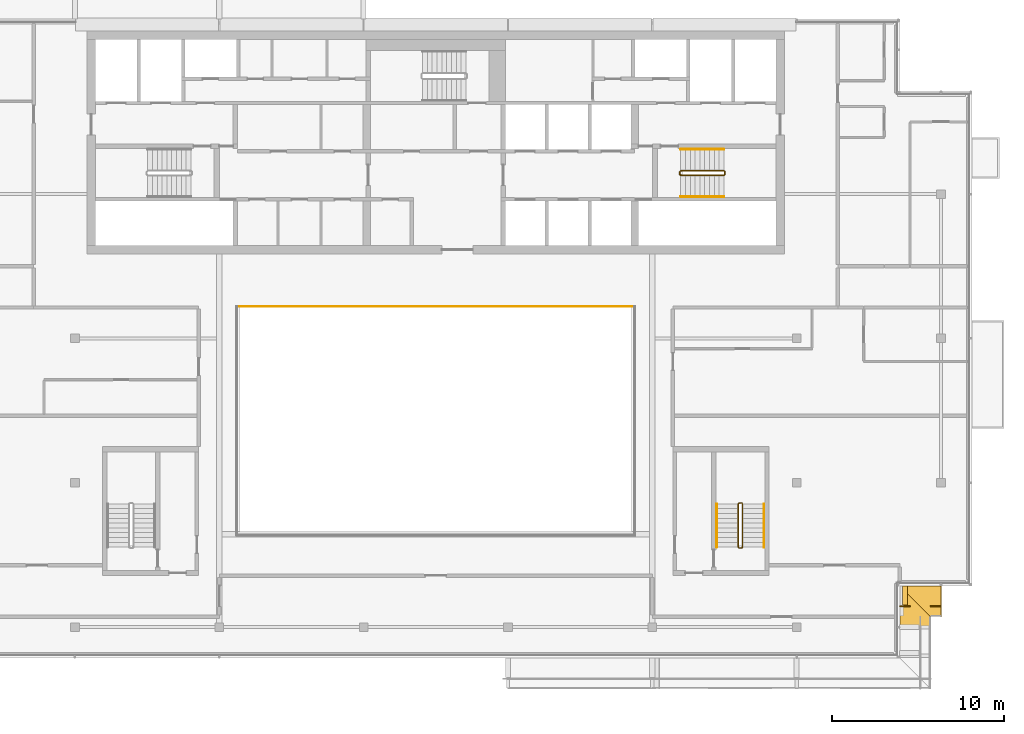
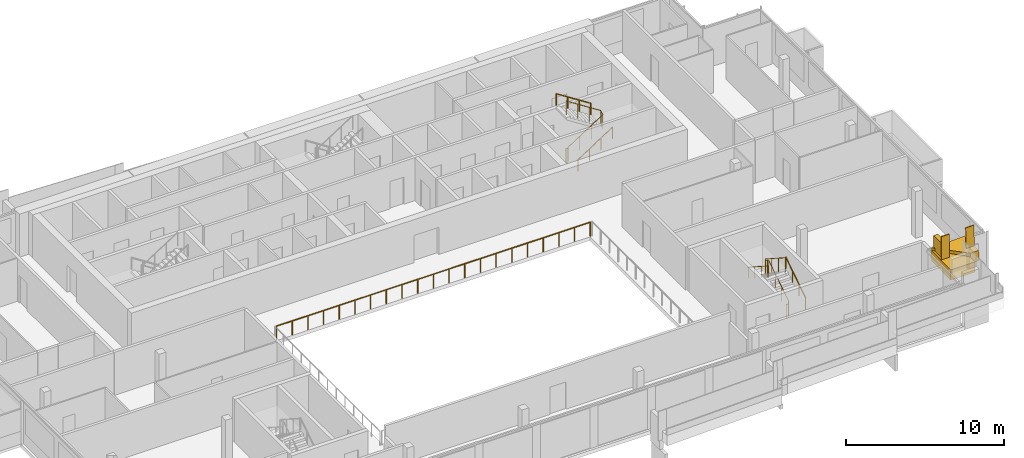
# One storey, part 18 of 21: 9 railings, 3 coverings.
"""IFC4 building model written with IfcOpenShell, lengths in metres."""

from ifc_helpers import new_model, si_unit, direction, frame, origin, origin_2d, place, context, subcontext, project, spatial, polyline, rectangle, circle, outline, extrude, material, layer, layer_set, type_object, element, save


model = new_model("IFC4")

# Units and contexts
model_context = context("Model", 3, precision=1e-05, world=origin(), true_north=direction((0.0, 1.0)))
body_context = subcontext(model_context, "Body", "Model", "MODEL_VIEW")
ifc_project = project(units=[si_unit("LENGTHUNIT", "METRE"), si_unit("AREAUNIT", "SQUARE_METRE"), si_unit("VOLUMEUNIT", "CUBIC_METRE"), si_unit("PLANEANGLEUNIT", "RADIAN"), si_unit("MASSUNIT", "GRAM", prefix="KILO")], contexts=[model_context])

# Site, building, storey
site_placement = place(None, origin())
site = spatial("IfcSite", under=ifc_project, at=site_placement, CompositionType="ELEMENT")
building_placement = place(site_placement, origin())
building = spatial("IfcBuilding", under=site, at=building_placement, Name="Saffron Gate Tower", CompositionType="ELEMENT")
storey_placement = place(building_placement, frame((0.0, 0.0, 288.75)))
storey = spatial("IfcBuildingStorey", under=building, at=storey_placement, Name="L70", CompositionType="ELEMENT", Elevation=288.75)

# Railings
ifc_material_1 = material(Name="Stainless steel and laminated glass", Category="steel")
railing_type_1 = type_object("IfcRailingType", Name="AG1 Atrium edge guard 1100", PredefinedType="GUARDRAIL", material=ifc_material_1)
railing_1_placement = place(storey_placement, frame((76.139892578125, 58.860107421875, 0.0)))
element("IfcRailing", 1, at=railing_1_placement, inside=storey, type_object=railing_type_1, Name="Guard E5-2", PredefinedType="GUARDRAIL", context=body_context, shape_type="SweptSolid", body=[
    extrude(circle(Radius=0.02392578125, at=origin_2d()), frame((0.0, 0.0, 1.076171875), z_axis=(1.0, 0.0, 0.0), x_axis=(0.0, 1.0, 0.0)), (0.0, 0.0, 1.0), 22.920166015625),
    extrude(circle(Radius=0.02099609375, at=origin_2d()), origin(), (0.0, 0.0, 1.0), 1.052001953125),
    extrude(circle(Radius=0.02099609375, at=origin_2d()), frame((1.14599609375, 0.0, 0.0)), (0.0, 0.0, 1.0), 1.052001953125),
    extrude(circle(Radius=0.02099609375, at=origin_2d()), frame((2.2919921875, 0.0, 0.0)), (0.0, 0.0, 1.0), 1.052001953125),
    extrude(circle(Radius=0.02099609375, at=origin_2d()), frame((3.43798828125, 0.0, 0.0)), (0.0, 0.0, 1.0), 1.052001953125),
    extrude(circle(Radius=0.02099609375, at=origin_2d()), frame((4.583984375, 0.0, 0.0)), (0.0, 0.0, 1.0), 1.052001953125),
    extrude(circle(Radius=0.02099609375, at=origin_2d()), frame((5.72998046875, 0.0, 0.0)), (0.0, 0.0, 1.0), 1.052001953125),
    extrude(circle(Radius=0.02099609375, at=origin_2d()), frame((6.8759765625, 0.0, 0.0)), (0.0, 0.0, 1.0), 1.052001953125),
    extrude(circle(Radius=0.02099609375, at=origin_2d()), frame((8.02197265625, 0.0, 0.0)), (0.0, 0.0, 1.0), 1.052001953125),
    extrude(circle(Radius=0.02099609375, at=origin_2d()), frame((9.16796875, 0.0, 0.0)), (0.0, 0.0, 1.0), 1.052001953125),
    extrude(circle(Radius=0.02099609375, at=origin_2d()), frame((10.31396484375, 0.0, 0.0)), (0.0, 0.0, 1.0), 1.052001953125),
    extrude(circle(Radius=0.02099609375, at=origin_2d()), frame((11.4599609375, 0.0, 0.0)), (0.0, 0.0, 1.0), 1.052001953125),
    extrude(circle(Radius=0.02099609375, at=origin_2d()), frame((12.606201171875, 0.0, 0.0)), (0.0, 0.0, 1.0), 1.052001953125),
    extrude(circle(Radius=0.02099609375, at=origin_2d()), frame((13.752197265625, 0.0, 0.0)), (0.0, 0.0, 1.0), 1.052001953125),
    extrude(circle(Radius=0.02099609375, at=origin_2d()), frame((14.898193359375, 0.0, 0.0)), (0.0, 0.0, 1.0), 1.052001953125),
    extrude(circle(Radius=0.02099609375, at=origin_2d()), frame((16.044189453125, 0.0, 0.0)), (0.0, 0.0, 1.0), 1.052001953125),
    extrude(circle(Radius=0.02099609375, at=origin_2d()), frame((17.190185546875, 0.0, 0.0)), (0.0, 0.0, 1.0), 1.052001953125),
    extrude(circle(Radius=0.02099609375, at=origin_2d()), frame((18.336181640625, 0.0, 0.0)), (0.0, 0.0, 1.0), 1.052001953125),
    extrude(circle(Radius=0.02099609375, at=origin_2d()), frame((19.482177734375, 0.0, 0.0)), (0.0, 0.0, 1.0), 1.052001953125),
    extrude(circle(Radius=0.02099609375, at=origin_2d()), frame((20.628173828125, 0.0, 0.0)), (0.0, 0.0, 1.0), 1.052001953125),
    extrude(circle(Radius=0.02099609375, at=origin_2d()), frame((21.774169921875, 0.0, 0.0)), (0.0, 0.0, 1.0), 1.052001953125),
    extrude(circle(Radius=0.02099609375, at=origin_2d()), frame((22.920166015625, 0.0, 0.0)), (0.0, 0.0, 1.0), 1.052001953125),
])
railing_type_2 = type_object("IfcRailingType", Name="CR1 Stair guard 1100", PredefinedType="GUARDRAIL", material=ifc_material_1)
railing_2_placement = place(storey_placement, frame((101.800048828125, 66.699951171875, 0.0)))
element("IfcRailing", 2, at=railing_2_placement, inside=storey, type_object=railing_type_2, Name="L70 ST-B stair guard 1", PredefinedType="GUARDRAIL", context=body_context, shape_type="SweptSolid", body=[
    extrude(circle(Radius=0.02392578125, at=origin_2d()), frame((0.0, 0.0, 1.076171875), z_axis=(0.0, -1.0, 0.0), x_axis=(1.0, 0.0, 0.0)), (0.0, 0.0, 1.0), 0.14990234375),
    extrude(circle(Radius=0.02392578125, at=origin_2d()), frame((0.0, -0.14990234375, 1.076171875), z_axis=(0.258847668887, -0.258847668887, 0.930588936439), x_axis=(0.707106781187, 0.707106781187, 0.0)), (0.0, 0.0, 1.0), 0.193359375),
    extrude(circle(Radius=0.02392578125, at=origin_2d()), frame((0.050048828125, -0.199951171875, 1.255859375), z_axis=(0.841162588446, 0.0, 0.540782303519), x_axis=(0.0, 1.0, 0.0)), (0.0, 0.0, 1.0), 2.995849609375),
    extrude(circle(Radius=0.02392578125, at=origin_2d()), frame((2.570068359375, -0.199951171875, 2.8759765625), z_axis=(0.705375805398, 0.708833529934, 0.0), x_axis=(-0.708833529934, 0.705375805398, 0.0)), (0.0, 0.0, 1.0), 0.070556640625),
    extrude(circle(Radius=0.02392578125, at=origin_2d()), frame((2.619873046875, -0.14990234375, 2.8759765625), z_axis=(0.0, 1.0, 0.0), x_axis=(-1.0, 0.0, 0.0)), (0.0, 0.0, 1.0), 0.14990234375),
    extrude(circle(Radius=0.02392578125, at=origin_2d()), frame((2.619873046875, 0.0, 2.8759765625), z_axis=(-0.257669022063, 0.258932105505, 0.930892496375), x_axis=(-0.708833529934, -0.705375805398, 0.0)), (0.0, 0.0, 1.0), 0.193359375),
    extrude(circle(Radius=0.02392578125, at=origin_2d()), frame((2.570068359375, 0.050048828125, 3.05615234375), z_axis=(-0.841162588446, 0.0, 0.540782303519), x_axis=(0.0, -1.0, 0.0)), (0.0, 0.0, 1.0), 2.995849609375),
    extrude(circle(Radius=0.02099609375, at=origin_2d()), origin(), (0.0, 0.0, 1.0), 1.052001953125),
    extrude(circle(Radius=0.02099609375, at=origin_2d()), frame((0.0, -0.14990234375, 0.0)), (0.0, 0.0, 1.0), 1.052001953125),
    extrude(circle(Radius=0.02099609375, at=origin_2d()), frame((0.050048828125, -0.199951171875, 0.179931640625)), (0.0, 0.0, 1.0), 1.052001953125),
    extrude(circle(Radius=0.02099609375, at=origin_2d()), frame((0.89013671875, -0.199951171875, 0.719970703125)), (0.0, 0.0, 1.0), 1.052001953125),
    extrude(circle(Radius=0.02099609375, at=origin_2d()), frame((1.72998046875, -0.199951171875, 1.260009765625)), (0.0, 0.0, 1.0), 1.052001953125),
    extrude(circle(Radius=0.02099609375, at=origin_2d()), frame((2.570068359375, -0.199951171875, 1.800048828125)), (0.0, 0.0, 1.0), 1.052001953125),
    extrude(circle(Radius=0.02099609375, at=origin_2d()), frame((2.619873046875, -0.14990234375, 1.800048828125)), (0.0, 0.0, 1.0), 1.052001953125),
    extrude(circle(Radius=0.02099609375, at=origin_2d()), frame((2.619873046875, 0.0, 1.800048828125)), (0.0, 0.0, 1.0), 1.052001953125),
    extrude(circle(Radius=0.02099609375, at=origin_2d()), frame((2.570068359375, 0.050048828125, 1.97998046875)), (0.0, 0.0, 1.0), 1.052001953125),
    extrude(circle(Radius=0.02099609375, at=origin_2d()), frame((1.72998046875, 0.050048828125, 2.52001953125)), (0.0, 0.0, 1.0), 1.052001953125),
    extrude(circle(Radius=0.02099609375, at=origin_2d()), frame((0.89013671875, 0.050048828125, 3.06005859375)), (0.0, 0.0, 1.0), 1.052001953125),
    extrude(circle(Radius=0.02099609375, at=origin_2d()), frame((0.050048828125, 0.050048828125, 3.60009765625)), (0.0, 0.0, 1.0), 1.052001953125),
])
railing_3_placement = place(storey_placement, frame((105.25, 44.800048828125, 0.0)))
element("IfcRailing", 3, at=railing_3_placement, inside=storey, type_object=railing_type_2, Name="L70 ST-E stair guard 1", PredefinedType="GUARDRAIL", context=body_context, shape_type="SweptSolid", body=[
    extrude(circle(Radius=0.02392578125, at=origin_2d()), frame((0.0, 0.0, 1.076171875), z_axis=(1.0, 0.0, 0.0), x_axis=(0.0, 1.0, 0.0)), (0.0, 0.0, 1.0), 0.14990234375),
    extrude(circle(Radius=0.02392578125, at=origin_2d()), frame((0.14990234375, 0.0, 1.076171875), z_axis=(0.258847668887, 0.258847668887, 0.930588936439), x_axis=(-0.707106781187, 0.707106781187, 0.0)), (0.0, 0.0, 1.0), 0.193359375),
    extrude(circle(Radius=0.02392578125, at=origin_2d()), frame((0.199951171875, 0.050048828125, 1.255859375), z_axis=(0.0, 0.841162588446, 0.540782303519), x_axis=(-1.0, 0.0, 0.0)), (0.0, 0.0, 1.0), 2.995849609375),
    extrude(circle(Radius=0.02392578125, at=origin_2d()), frame((0.199951171875, 2.570068359375, 2.8759765625), z_axis=(-0.708833529934, 0.705375805398, 0.0), x_axis=(-0.705375805398, -0.708833529934, 0.0)), (0.0, 0.0, 1.0), 0.070556640625),
    extrude(circle(Radius=0.02392578125, at=origin_2d()), frame((0.14990234375, 2.619873046875, 2.8759765625), z_axis=(-1.0, 0.0, 0.0), x_axis=(0.0, -1.0, 0.0)), (0.0, 0.0, 1.0), 0.14990234375),
    extrude(circle(Radius=0.02392578125, at=origin_2d()), frame((0.0, 2.619873046875, 2.8759765625), z_axis=(-0.258932105505, -0.257669022063, 0.930892496375), x_axis=(0.705375805398, -0.708833529934, 0.0)), (0.0, 0.0, 1.0), 0.193359375),
    extrude(circle(Radius=0.02392578125, at=origin_2d()), frame((-0.050048828125, 2.570068359375, 3.05615234375), z_axis=(0.0, -0.841162588446, 0.540782303519), x_axis=(1.0, 0.0, 0.0)), (0.0, 0.0, 1.0), 2.995849609375),
    extrude(circle(Radius=0.02099609375, at=origin_2d()), origin(), (0.0, 0.0, 1.0), 1.052001953125),
    extrude(circle(Radius=0.02099609375, at=origin_2d()), frame((0.14990234375, 0.0, 0.0)), (0.0, 0.0, 1.0), 1.052001953125),
    extrude(circle(Radius=0.02099609375, at=origin_2d()), frame((0.199951171875, 0.050048828125, 0.179931640625)), (0.0, 0.0, 1.0), 1.052001953125),
    extrude(circle(Radius=0.02099609375, at=origin_2d()), frame((0.199951171875, 0.89013671875, 0.719970703125)), (0.0, 0.0, 1.0), 1.052001953125),
    extrude(circle(Radius=0.02099609375, at=origin_2d()), frame((0.199951171875, 1.72998046875, 1.260009765625)), (0.0, 0.0, 1.0), 1.052001953125),
    extrude(circle(Radius=0.02099609375, at=origin_2d()), frame((0.199951171875, 2.570068359375, 1.800048828125)), (0.0, 0.0, 1.0), 1.052001953125),
    extrude(circle(Radius=0.02099609375, at=origin_2d()), frame((0.14990234375, 2.619873046875, 1.800048828125)), (0.0, 0.0, 1.0), 1.052001953125),
    extrude(circle(Radius=0.02099609375, at=origin_2d()), frame((0.0, 2.619873046875, 1.800048828125)), (0.0, 0.0, 1.0), 1.052001953125),
    extrude(circle(Radius=0.02099609375, at=origin_2d()), frame((-0.050048828125, 2.570068359375, 1.97998046875)), (0.0, 0.0, 1.0), 1.052001953125),
    extrude(circle(Radius=0.02099609375, at=origin_2d()), frame((-0.050048828125, 1.72998046875, 2.52001953125)), (0.0, 0.0, 1.0), 1.052001953125),
    extrude(circle(Radius=0.02099609375, at=origin_2d()), frame((-0.050048828125, 0.89013671875, 3.06005859375)), (0.0, 0.0, 1.0), 1.052001953125),
    extrude(circle(Radius=0.02099609375, at=origin_2d()), frame((-0.050048828125, 0.050048828125, 3.60009765625)), (0.0, 0.0, 1.0), 1.052001953125),
])
ifc_material_2 = material(Name="Stainless steel", Category="steel")
railing_type_3 = type_object("IfcRailingType", Name="CR2 Stair handrail 900", PredefinedType="HANDRAIL", material=ifc_material_2)
railing_4_placement = place(storey_placement, frame((101.85009765625, 65.25, 0.179931640625)))
element("IfcRailing", 4, at=railing_4_placement, inside=storey, type_object=railing_type_3, Name="L70 ST-B stair handrail 1", PredefinedType="HANDRAIL", context=body_context, shape_type="SweptSolid", body=[
    extrude(circle(Radius=0.02392578125, at=origin_2d()), frame((0.0, 0.0, 0.8759765625), z_axis=(0.841162588446, 0.0, 0.540782303519), x_axis=(0.0, 1.0, 0.0)), (0.0, 0.0, 1.0), 2.995849609375),
    extrude(circle(Radius=0.02099609375, at=origin_2d()), origin(), (0.0, 0.0, 1.0), 0.851806640625),
    extrude(circle(Radius=0.02099609375, at=origin_2d()), frame((0.840087890625, 0.0, 0.5400390625)), (0.0, 0.0, 1.0), 0.851806640625),
    extrude(circle(Radius=0.02099609375, at=origin_2d()), frame((1.679931640625, 0.0, 1.080078125)), (0.0, 0.0, 1.0), 0.851806640625),
    extrude(circle(Radius=0.02099609375, at=origin_2d()), frame((2.52001953125, 0.0, 1.6201171875)), (0.0, 0.0, 1.0), 0.851806640625),
])
railing_5_placement = place(storey_placement, frame((104.3701171875, 68.0, 1.97998046875)))
element("IfcRailing", 5, at=railing_5_placement, inside=storey, type_object=railing_type_3, Name="L70 ST-B stair handrail 2", PredefinedType="HANDRAIL", context=body_context, shape_type="SweptSolid", body=[
    extrude(circle(Radius=0.02392578125, at=origin_2d()), frame((0.0, 0.0, 0.8759765625), z_axis=(-0.841162588446, 0.0, 0.540782303519), x_axis=(0.0, -1.0, 0.0)), (0.0, 0.0, 1.0), 2.995849609375),
    extrude(circle(Radius=0.02099609375, at=origin_2d()), origin(), (0.0, 0.0, 1.0), 0.851806640625),
    extrude(circle(Radius=0.02099609375, at=origin_2d()), frame((-0.840087890625, 0.0, 0.5400390625)), (0.0, 0.0, 1.0), 0.851806640625),
    extrude(circle(Radius=0.02099609375, at=origin_2d()), frame((-1.679931640625, 0.0, 1.080078125)), (0.0, 0.0, 1.0), 0.851806640625),
    extrude(circle(Radius=0.02099609375, at=origin_2d()), frame((-2.52001953125, 0.0, 1.6201171875)), (0.0, 0.0, 1.0), 0.851806640625),
])
railing_6_placement = place(storey_placement, frame((106.699951171875, 44.85009765625, 0.179931640625)))
element("IfcRailing", 6, at=railing_6_placement, inside=storey, type_object=railing_type_3, Name="L70 ST-E stair handrail 1", PredefinedType="HANDRAIL", context=body_context, shape_type="SweptSolid", body=[
    extrude(circle(Radius=0.02392578125, at=origin_2d()), frame((0.0, 0.0, 0.8759765625), z_axis=(0.0, 0.841162588446, 0.540782303519), x_axis=(-1.0, 0.0, 0.0)), (0.0, 0.0, 1.0), 2.995849609375),
    extrude(circle(Radius=0.02099609375, at=origin_2d()), origin(), (0.0, 0.0, 1.0), 0.851806640625),
    extrude(circle(Radius=0.02099609375, at=origin_2d()), frame((0.0, 0.840087890625, 0.5400390625)), (0.0, 0.0, 1.0), 0.851806640625),
    extrude(circle(Radius=0.02099609375, at=origin_2d()), frame((0.0, 1.679931640625, 1.080078125)), (0.0, 0.0, 1.0), 0.851806640625),
    extrude(circle(Radius=0.02099609375, at=origin_2d()), frame((0.0, 2.52001953125, 1.6201171875)), (0.0, 0.0, 1.0), 0.851806640625),
])
railing_7_placement = place(storey_placement, frame((103.949951171875, 47.3701171875, 1.97998046875)))
element("IfcRailing", 7, at=railing_7_placement, inside=storey, type_object=railing_type_3, Name="L70 ST-E stair handrail 2", PredefinedType="HANDRAIL", context=body_context, shape_type="SweptSolid", body=[
    extrude(circle(Radius=0.02392578125, at=origin_2d()), frame((0.0, 0.0, 0.8759765625), z_axis=(0.0, -0.841162588446, 0.540782303519), x_axis=(1.0, 0.0, 0.0)), (0.0, 0.0, 1.0), 2.995849609375),
    extrude(circle(Radius=0.02099609375, at=origin_2d()), origin(), (0.0, 0.0, 1.0), 0.851806640625),
    extrude(circle(Radius=0.02099609375, at=origin_2d()), frame((0.0, -0.840087890625, 0.5400390625)), (0.0, 0.0, 1.0), 0.851806640625),
    extrude(circle(Radius=0.02099609375, at=origin_2d()), frame((0.0, -1.679931640625, 1.080078125)), (0.0, 0.0, 1.0), 0.851806640625),
    extrude(circle(Radius=0.02099609375, at=origin_2d()), frame((0.0, -2.52001953125, 1.6201171875)), (0.0, 0.0, 1.0), 0.851806640625),
])

# Coverings
ifc_material_3 = material(Name="Timber, thermally modified ash", Category="wood")
ifc_layer_1 = layer(ifc_material_3, 0.800048828125)
ifc_layer_set_1 = layer_set([ifc_layer_1], Name="LD1 ledge timber")
covering_type_1 = type_object("IfcCoveringType", Name="LD1 ledge timber", PredefinedType="CLADDING", material=ifc_layer_set_1)
covering_1_placement = place(storey_placement, frame((114.60009765625, 40.199951171875, 3.2548828125), z_axis=(8.2134458e-05, -0.028713032424, 0.999587692513), x_axis=(-5.057e-09, 0.999587695884, 0.028713032521)))
element("IfcCovering", 8, at=covering_1_placement, inside=storey, type_object=covering_type_1, Name="LEDGE", PredefinedType="CLADDING", context=body_context, shape_type="SweptSolid", body=[
    extrude(outline(polyline([(0.0, 0.0), (2.401140729112013, -8.470329472543003e-22), (0.6003409256550367, -1.7998046966064871), (-9.100891367648359e-09, -1.7998046814291966), (0.0, 0.0)])), origin(), (0.0, 0.0, -1.0), 0.800048828125),
])
covering_2_placement = place(storey_placement, frame((114.60009765625, 42.60009765625, 3.510986328125), z_axis=(-0.028796646545, -2.5552475e-05, 0.999585290255), x_axis=(0.999585290582, -4.9e-10, 0.028796646555)))
element("IfcCovering", 9, at=covering_2_placement, inside=storey, type_object=covering_type_1, Name="LEDGE", PredefinedType="CLADDING", context=body_context, shape_type="SweptSolid", body=[
    extrude(outline(polyline([(0.0, 0.0), (2.400896693699368, 2.117582368135751e-22), (2.400896694580541, -1.8000488275373479), (1.8005487438590848, -1.8000488290065384), (0.0, 0.0)])), origin(), (0.0, 0.0, -1.0), 0.800048828125),
])
ifc_layer_2 = layer(ifc_material_3, 0.300048828125)
ifc_layer_set_2 = layer_set([ifc_layer_2], Name="LD3 ledge riser fin")
covering_type_2 = type_object("IfcCoveringType", Name="LD3 ledge riser fin", PredefinedType="CLADDING", material=ifc_layer_set_2)
covering_3_placement = place(storey_placement, frame((114.89990234375, 42.0400390625, 2.52392578125), z_axis=(0.0, 0.0, 1.0), x_axis=(1.0, 0.0, 0.0)))
element("IfcCovering", 10, at=covering_3_placement, inside=storey, type_object=covering_type_2, Name="LEDGE riser fin", PredefinedType="CLADDING", context=body_context, shape_type="SweptSolid", body=[
    extrude(rectangle(XDim=0.300048828125, YDim=1.1201171875, at=origin_2d()), origin(), (0.0, 0.0, 1.0), 1.886962890625),
])

# Railings
railing_type_4 = type_object("IfcRailingType", Name="LG1 ledge balustrade", PredefinedType="BALUSTRADE", material=ifc_material_3)
railing_8_placement = place(storey_placement, frame((116.39990234375, 41.39990234375, 3.562744140625)))
element("IfcRailing", 11, at=railing_8_placement, inside=storey, type_object=railing_type_4, Name="LEDGE BALUSTRADE", PredefinedType="BALUSTRADE", context=body_context, shape_type="SweptSolid", body=[
    extrude(rectangle(XDim=0.06005859375, YDim=1.60009765625, at=origin_2d()), frame((0.0, 0.0, 0.800048828125), z_axis=(0.999583081391, 0.0, 0.028873229772), x_axis=(0.0, 1.0, 0.0)), (0.0, 0.0, 1.0), 0.600341796875),
])
railing_9_placement = place(storey_placement, frame((114.60009765625, 41.39990234375, 3.323974609375)))
element("IfcRailing", 12, at=railing_9_placement, inside=storey, type_object=railing_type_4, Name="LEDGE BALUSTRADE", PredefinedType="BALUSTRADE", context=body_context, shape_type="SweptSolid", body=[
    extrude(rectangle(XDim=0.06005859375, YDim=1.787109375, at=origin_2d()), frame((0.0, 0.0, 0.8935546875), z_axis=(1.0, 0.0, 0.0), x_axis=(0.0, 1.0, 0.0)), (0.0, 0.0, 1.0), 0.599853515625),
])

save(model, "model.ifc")
